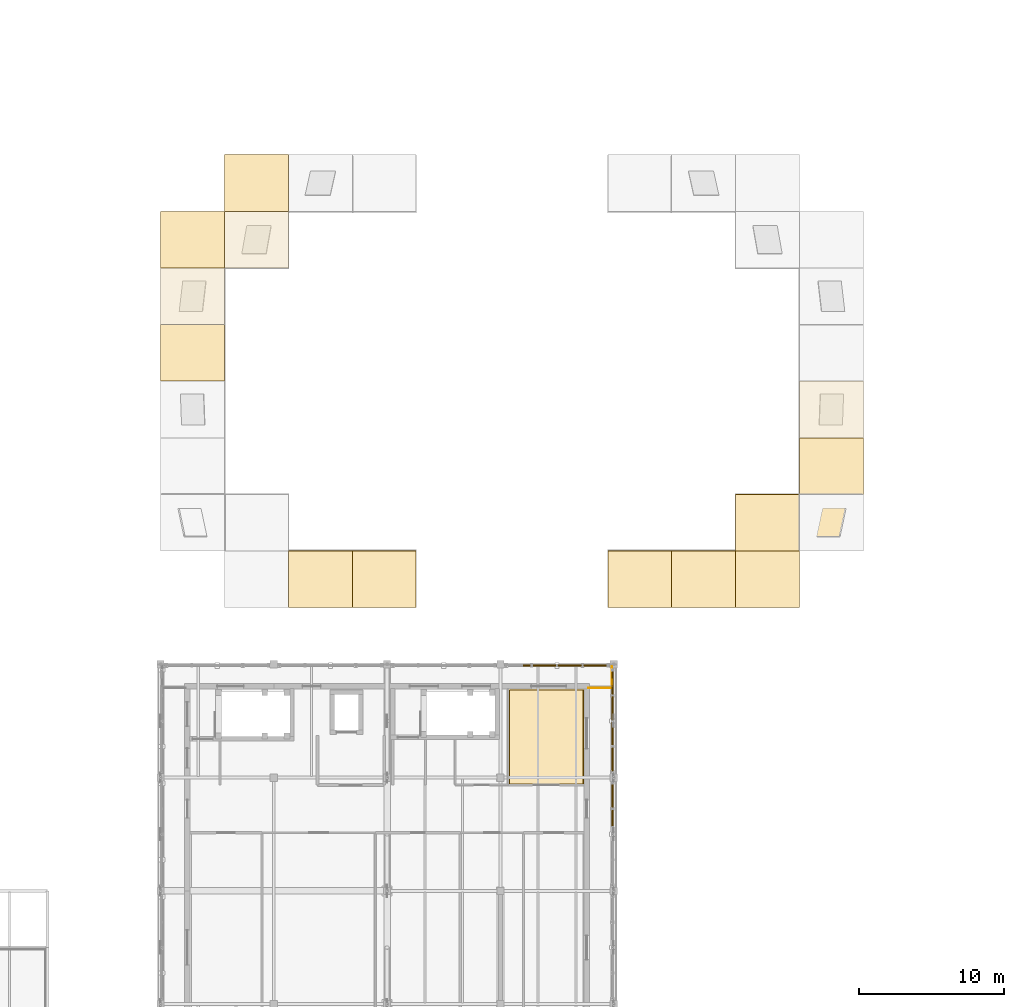
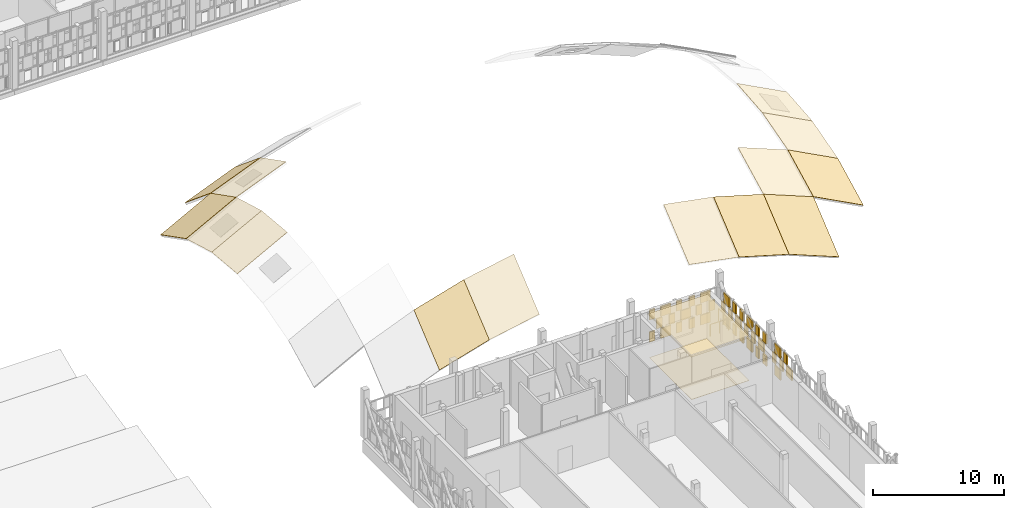
# One storey, part 81 of 89: 55 coverings, 2 railings.
"""IFC4 building model written with IfcOpenShell, lengths in metres."""

from ifc_helpers import new_model, si_unit, direction, frame, origin, origin_2d, place, context, subcontext, project, spatial, polyline, rectangle, circle, outline, extrude, material, layer, layer_set, type_object, element, save


model = new_model("IFC4")

# Units and contexts
model_context = context("Model", 3, precision=1e-05, world=origin(), true_north=direction((0.0, 1.0)))
body_context = subcontext(model_context, "Body", "Model", "MODEL_VIEW")
ifc_project = project(units=[si_unit("LENGTHUNIT", "METRE"), si_unit("AREAUNIT", "SQUARE_METRE"), si_unit("VOLUMEUNIT", "CUBIC_METRE"), si_unit("PLANEANGLEUNIT", "RADIAN"), si_unit("MASSUNIT", "GRAM", prefix="KILO")], contexts=[model_context])

# Site, building, storey
site_placement = place(None, origin())
site = spatial("IfcSite", under=ifc_project, at=site_placement, CompositionType="ELEMENT")
building_placement = place(site_placement, origin())
building = spatial("IfcBuilding", under=site, at=building_placement, Name="Celorna Specialist Clinic", CompositionType="ELEMENT")
storey_placement = place(building_placement, frame((0.0, 0.0, 14.10009765625)))
storey = spatial("IfcBuildingStorey", under=building, at=storey_placement, Name="L03", CompositionType="ELEMENT", Elevation=14.10009765625)

# Railings
ifc_material_1 = material(Name="Stainless steel and laminated glass balustrade", Category="steel")
railing_type = type_object("IfcRailingType", Name="BL-01", PredefinedType="BALUSTRADE", material=ifc_material_1)
railing_1_placement = place(storey_placement, frame((84.070068359375, 41.280029296875, 0.0)))
element("IfcRailing", 1, at=railing_1_placement, inside=storey, type_object=railing_type, Name="Research Wing Cantilever Veranda L03 perimeter balustrade 6", PredefinedType="BALUSTRADE", context=body_context, shape_type="SweptSolid", body=[
    extrude(circle(Radius=0.02392578125, at=origin_2d()), frame((0.0, 0.0, 1.09619140625), z_axis=(1.0, 0.0, 0.0), x_axis=(0.0, 1.0, 0.0)), (0.0, 0.0, 1.0), 1.60986328125),
    extrude(circle(Radius=0.02099609375, at=origin_2d()), origin(), (0.0, 0.0, 1.0), 1.072021484375),
    extrude(circle(Radius=0.02099609375, at=origin_2d()), frame((0.804931640625, 0.0, 0.0)), (0.0, 0.0, 1.0), 1.072021484375),
    extrude(circle(Radius=0.02099609375, at=origin_2d()), frame((1.60986328125, 0.0, 0.0)), (0.0, 0.0, 1.0), 1.072021484375),
])
railing_2_placement = place(storey_placement, frame((85.679931640625, 42.780029296875, 0.0)))
element("IfcRailing", 2, at=railing_2_placement, inside=storey, type_object=railing_type, Name="Research Wing North Court Veranda L03 perimeter balustrade 3", PredefinedType="BALUSTRADE", context=body_context, shape_type="SweptSolid", body=[
    extrude(circle(Radius=0.02392578125, at=origin_2d()), frame((0.0, 0.0, 1.09619140625), z_axis=(0.0, -1.0, 0.0), x_axis=(1.0, 0.0, 0.0)), (0.0, 0.0, 1.0), 1.260009765625),
    extrude(circle(Radius=0.02099609375, at=origin_2d()), origin(), (0.0, 0.0, 1.0), 1.072021484375),
    extrude(circle(Radius=0.02099609375, at=origin_2d()), frame((0.0, -0.6298828125, 0.0)), (0.0, 0.0, 1.0), 1.072021484375),
    extrude(circle(Radius=0.02099609375, at=origin_2d()), frame((0.0, -1.260009765625, 0.0)), (0.0, 0.0, 1.0), 1.072021484375),
])

# Coverings
ifc_material_2 = material(Name="Hygienic acoustic mineral-fibre ceiling")
ifc_layer_1 = layer(ifc_material_2, 0.030029296875, Name="Hygienic acoustic mineral-fibre ceiling")
ifc_layer_set_1 = layer_set([ifc_layer_1], Name="Hygienic acoustic mineral-fibre ceiling")
covering_type_1 = type_object("IfcCoveringType", Name="CE-01", PredefinedType="CEILING", material=ifc_layer_set_1)
covering_1_placement = place(storey_placement, frame((0.0, 0.0, 4.02978515625)))
element("IfcCovering", 3, at=covering_1_placement, inside=storey, type_object=covering_type_1, Name="Acoustic ceiling L03-060", PredefinedType="CEILING", context=body_context, shape_type="SweptSolid", body=[
    extrude(outline(polyline([(83.77490234375, 41.22509765625), (83.77490234375, 34.5849609375), (78.52490234375, 34.5849609375), (78.52490234375, 41.22509765625), (83.77490234375, 41.22509765625)])), origin(), (0.0, 0.0, 1.0), 0.030029296875),
])
ifc_material_3 = material(Name="Perforated terracotta brick weave cladding", Category="masonry")
ifc_layer_2 = layer(ifc_material_3, 0.114990234375, Name="Perforated terracotta brick weave cladding")
ifc_layer_set_2 = layer_set([ifc_layer_2], Name="Perforated terracotta brick weave cladding")
covering_type_2 = type_object("IfcCoveringType", Name="CL-02", PredefinedType="CLADDING", material=ifc_layer_set_2)
covering_2_placement = place(storey_placement, frame((85.72998046875, 32.077392578125, 1.12646484375), z_axis=(0.0, 0.0, 1.0), x_axis=(0.0, 1.0, 0.0)))
element("IfcCovering", 4, at=covering_2_placement, inside=storey, type_object=covering_type_2, Name="Woven perforated terracotta brick course #448", PredefinedType="CLADDING", context=body_context, shape_type="SweptSolid", body=[
    extrude(rectangle(XDim=0.8828125, YDim=0.114990234375, at=origin_2d()), origin(), (0.0, 0.0, 1.0), 0.926513671875),
])
covering_3_placement = place(storey_placement, frame((85.72998046875, 32.645751953125, 2.1533203125), z_axis=(0.0, 0.0, 1.0), x_axis=(0.0, 1.0, 0.0)))
element("IfcCovering", 5, at=covering_3_placement, inside=storey, type_object=covering_type_2, Name="Woven perforated terracotta brick course #450", PredefinedType="CLADDING", context=body_context, shape_type="SweptSolid", body=[
    extrude(rectangle(XDim=0.498779296875, YDim=0.114990234375, at=origin_2d()), origin(), (0.0, 0.0, 1.0), 0.9267578125),
])
covering_4_placement = place(storey_placement, frame((85.72998046875, 33.83251953125, 0.099853515625), z_axis=(0.0, 0.0, 1.0), x_axis=(0.0, 1.0, 0.0)))
element("IfcCovering", 6, at=covering_4_placement, inside=storey, type_object=covering_type_2, Name="Woven perforated terracotta brick course #451", PredefinedType="CLADDING", context=body_context, shape_type="SweptSolid", body=[
    extrude(rectangle(XDim=0.8828125, YDim=0.114990234375, at=origin_2d()), origin(), (0.0, 0.0, 1.0), 0.9267578125),
])
for number, where, z_axis, x_axis, name in (
    (7, (85.72998046875, 33.264404296875, 1.12646484375), (0.0, 0.0, 1.0), (0.0, 1.0, 0.0), "Woven perforated terracotta brick course #452"),
    (8, (85.72998046875, 34.400634765625, 1.12646484375), (0.0, 0.0, 1.0), (0.0, 1.0, 0.0), "Woven perforated terracotta brick course #453"),
):
    element("IfcCovering", number, at=place(storey_placement, frame(where, z_axis=z_axis, x_axis=x_axis)), inside=storey, type_object=covering_type_2, Name=name, PredefinedType="CLADDING", context=body_context, shape_type="SweptSolid", body=[
        extrude(rectangle(XDim=0.498779296875, YDim=0.114990234375, at=origin_2d()), origin(), (0.0, 0.0, 1.0), 0.926513671875),
    ])
covering_5_placement = place(storey_placement, frame((85.72998046875, 33.83251953125, 2.1533203125), z_axis=(0.0, 0.0, 1.0), x_axis=(0.0, 1.0, 0.0)))
element("IfcCovering", 9, at=covering_5_placement, inside=storey, type_object=covering_type_2, Name="Woven perforated terracotta brick course #454", PredefinedType="CLADDING", context=body_context, shape_type="SweptSolid", body=[
    extrude(rectangle(XDim=0.8828125, YDim=0.114990234375, at=origin_2d()), origin(), (0.0, 0.0, 1.0), 0.9267578125),
])
for number, where, z_axis, x_axis, name in (
    (10, (85.72998046875, 35.79931640625, 0.099853515625), (0.0, 0.0, 1.0), (0.0, 1.0, 0.0), "Woven perforated terracotta brick course #455"),
    (11, (85.72998046875, 36.935791015625, 0.099853515625), (0.0, 0.0, 1.0), (0.0, 1.0, 0.0), "Woven perforated terracotta brick course #456"),
):
    element("IfcCovering", number, at=place(storey_placement, frame(where, z_axis=z_axis, x_axis=x_axis)), inside=storey, type_object=covering_type_2, Name=name, PredefinedType="CLADDING", context=body_context, shape_type="SweptSolid", body=[
        extrude(rectangle(XDim=0.498779296875, YDim=0.114990234375, at=origin_2d()), origin(), (0.0, 0.0, 1.0), 0.9267578125),
    ])
covering_6_placement = place(storey_placement, frame((85.72998046875, 36.367431640625, 1.12646484375), z_axis=(0.0, 0.0, 1.0), x_axis=(0.0, 1.0, 0.0)))
element("IfcCovering", 12, at=covering_6_placement, inside=storey, type_object=covering_type_2, Name="Woven perforated terracotta brick course #457", PredefinedType="CLADDING", context=body_context, shape_type="SweptSolid", body=[
    extrude(rectangle(XDim=0.8828125, YDim=0.114990234375, at=origin_2d()), origin(), (0.0, 0.0, 1.0), 0.926513671875),
])
for number, where, z_axis, x_axis, name in (
    (13, (85.72998046875, 35.79931640625, 2.1533203125), (0.0, 0.0, 1.0), (0.0, 1.0, 0.0), "Woven perforated terracotta brick course #458"),
    (14, (85.72998046875, 36.935791015625, 2.1533203125), (0.0, 0.0, 1.0), (0.0, 1.0, 0.0), "Woven perforated terracotta brick course #459"),
):
    element("IfcCovering", number, at=place(storey_placement, frame(where, z_axis=z_axis, x_axis=x_axis)), inside=storey, type_object=covering_type_2, Name=name, PredefinedType="CLADDING", context=body_context, shape_type="SweptSolid", body=[
        extrude(rectangle(XDim=0.498779296875, YDim=0.114990234375, at=origin_2d()), origin(), (0.0, 0.0, 1.0), 0.9267578125),
    ])
covering_7_placement = place(storey_placement, frame((85.72998046875, 38.12255859375, 0.099853515625), z_axis=(0.0, 0.0, 1.0), x_axis=(0.0, 1.0, 0.0)))
element("IfcCovering", 15, at=covering_7_placement, inside=storey, type_object=covering_type_2, Name="Woven perforated terracotta brick course #460", PredefinedType="CLADDING", context=body_context, shape_type="SweptSolid", body=[
    extrude(rectangle(XDim=0.8828125, YDim=0.114990234375, at=origin_2d()), origin(), (0.0, 0.0, 1.0), 0.9267578125),
])
for number, where, z_axis, x_axis, name in (
    (16, (85.72998046875, 37.55419921875, 1.12646484375), (0.0, 0.0, 1.0), (0.0, 1.0, 0.0), "Woven perforated terracotta brick course #461"),
    (17, (85.72998046875, 38.690673828125, 1.12646484375), (0.0, 0.0, 1.0), (0.0, 1.0, 0.0), "Woven perforated terracotta brick course #462"),
):
    element("IfcCovering", number, at=place(storey_placement, frame(where, z_axis=z_axis, x_axis=x_axis)), inside=storey, type_object=covering_type_2, Name=name, PredefinedType="CLADDING", context=body_context, shape_type="SweptSolid", body=[
        extrude(rectangle(XDim=0.498779296875, YDim=0.114990234375, at=origin_2d()), origin(), (0.0, 0.0, 1.0), 0.926513671875),
    ])
covering_8_placement = place(storey_placement, frame((85.72998046875, 38.12255859375, 2.1533203125), z_axis=(0.0, 0.0, 1.0), x_axis=(0.0, 1.0, 0.0)))
element("IfcCovering", 18, at=covering_8_placement, inside=storey, type_object=covering_type_2, Name="Woven perforated terracotta brick course #463", PredefinedType="CLADDING", context=body_context, shape_type="SweptSolid", body=[
    extrude(rectangle(XDim=0.8828125, YDim=0.114990234375, at=origin_2d()), origin(), (0.0, 0.0, 1.0), 0.9267578125),
])
for number, where, z_axis, x_axis, name in (
    (19, (85.72998046875, 39.309326171875, 0.099853515625), (0.0, 0.0, 1.0), (0.0, 1.0, 0.0), "Woven perforated terracotta brick course #464"),
    (20, (85.72998046875, 40.44580078125, 0.099853515625), (0.0, 0.0, 1.0), (0.0, 1.0, 0.0), "Woven perforated terracotta brick course #465"),
):
    element("IfcCovering", number, at=place(storey_placement, frame(where, z_axis=z_axis, x_axis=x_axis)), inside=storey, type_object=covering_type_2, Name=name, PredefinedType="CLADDING", context=body_context, shape_type="SweptSolid", body=[
        extrude(rectangle(XDim=0.498779296875, YDim=0.114990234375, at=origin_2d()), origin(), (0.0, 0.0, 1.0), 0.9267578125),
    ])
covering_9_placement = place(storey_placement, frame((85.72998046875, 39.87744140625, 1.12646484375), z_axis=(0.0, 0.0, 1.0), x_axis=(0.0, 1.0, 0.0)))
element("IfcCovering", 21, at=covering_9_placement, inside=storey, type_object=covering_type_2, Name="Woven perforated terracotta brick course #466", PredefinedType="CLADDING", context=body_context, shape_type="SweptSolid", body=[
    extrude(rectangle(XDim=0.8828125, YDim=0.114990234375, at=origin_2d()), origin(), (0.0, 0.0, 1.0), 0.926513671875),
])
for number, where, z_axis, x_axis, name in (
    (22, (85.72998046875, 39.309326171875, 2.1533203125), (0.0, 0.0, 1.0), (0.0, 1.0, 0.0), "Woven perforated terracotta brick course #467"),
    (23, (85.72998046875, 40.44580078125, 2.1533203125), (0.0, 0.0, 1.0), (0.0, 1.0, 0.0), "Woven perforated terracotta brick course #468"),
):
    element("IfcCovering", number, at=place(storey_placement, frame(where, z_axis=z_axis, x_axis=x_axis)), inside=storey, type_object=covering_type_2, Name=name, PredefinedType="CLADDING", context=body_context, shape_type="SweptSolid", body=[
        extrude(rectangle(XDim=0.498779296875, YDim=0.114990234375, at=origin_2d()), origin(), (0.0, 0.0, 1.0), 0.9267578125),
    ])
covering_10_placement = place(storey_placement, frame((85.72998046875, 41.632568359375, 0.099853515625), z_axis=(0.0, 0.0, 1.0), x_axis=(0.0, 1.0, 0.0)))
element("IfcCovering", 24, at=covering_10_placement, inside=storey, type_object=covering_type_2, Name="Woven perforated terracotta brick course #469", PredefinedType="CLADDING", context=body_context, shape_type="SweptSolid", body=[
    extrude(rectangle(XDim=0.8828125, YDim=0.114990234375, at=origin_2d()), origin(), (0.0, 0.0, 1.0), 0.9267578125),
])
for number, where, z_axis, x_axis, name in (
    (25, (85.72998046875, 41.064208984375, 1.12646484375), (0.0, 0.0, 1.0), (0.0, 1.0, 0.0), "Woven perforated terracotta brick course #470"),
    (26, (85.72998046875, 42.20068359375, 1.12646484375), (0.0, 0.0, 1.0), (0.0, 1.0, 0.0), "Woven perforated terracotta brick course #471"),
):
    element("IfcCovering", number, at=place(storey_placement, frame(where, z_axis=z_axis, x_axis=x_axis)), inside=storey, type_object=covering_type_2, Name=name, PredefinedType="CLADDING", context=body_context, shape_type="SweptSolid", body=[
        extrude(rectangle(XDim=0.498779296875, YDim=0.114990234375, at=origin_2d()), origin(), (0.0, 0.0, 1.0), 0.926513671875),
    ])
covering_11_placement = place(storey_placement, frame((85.72998046875, 41.632568359375, 2.1533203125), z_axis=(0.0, 0.0, 1.0), x_axis=(0.0, 1.0, 0.0)))
element("IfcCovering", 27, at=covering_11_placement, inside=storey, type_object=covering_type_2, Name="Woven perforated terracotta brick course #472", PredefinedType="CLADDING", context=body_context, shape_type="SweptSolid", body=[
    extrude(rectangle(XDim=0.8828125, YDim=0.114990234375, at=origin_2d()), origin(), (0.0, 0.0, 1.0), 0.9267578125),
])
for number, where, z_axis, x_axis, name in (
    (28, (79.835693359375, 42.830078125, 0.099853515625), (0.0, 0.0, 1.0), (1.0, 0.0, 0.0), "Woven perforated terracotta brick course #600"),
    (29, (79.835693359375, 42.830078125, 2.1533203125), (0.0, 0.0, 1.0), (1.0, 0.0, 0.0), "Woven perforated terracotta brick course #603"),
):
    element("IfcCovering", number, at=place(storey_placement, frame(where, z_axis=z_axis, x_axis=x_axis)), inside=storey, type_object=covering_type_2, Name=name, PredefinedType="CLADDING", context=body_context, shape_type="SweptSolid", body=[
        extrude(rectangle(XDim=0.498779296875, YDim=0.114990234375, at=origin_2d()), origin(), (0.0, 0.0, 1.0), 0.9267578125),
    ])
covering_12_placement = place(storey_placement, frame((81.0224609375, 42.830078125, 0.099853515625), z_axis=(0.0, 0.0, 1.0), x_axis=(1.0, 0.0, 0.0)))
element("IfcCovering", 30, at=covering_12_placement, inside=storey, type_object=covering_type_2, Name="Woven perforated terracotta brick course #604", PredefinedType="CLADDING", context=body_context, shape_type="SweptSolid", body=[
    extrude(rectangle(XDim=0.8828125, YDim=0.114990234375, at=origin_2d()), origin(), (0.0, 0.0, 1.0), 0.9267578125),
])
for number, where, z_axis, x_axis, name in (
    (31, (80.454345703125, 42.830078125, 1.12646484375), (0.0, 0.0, 1.0), (1.0, 0.0, 0.0), "Woven perforated terracotta brick course #605"),
    (32, (81.590576171875, 42.830078125, 1.12646484375), (0.0, 0.0, 1.0), (1.0, 0.0, 0.0), "Woven perforated terracotta brick course #606"),
):
    element("IfcCovering", number, at=place(storey_placement, frame(where, z_axis=z_axis, x_axis=x_axis)), inside=storey, type_object=covering_type_2, Name=name, PredefinedType="CLADDING", context=body_context, shape_type="SweptSolid", body=[
        extrude(rectangle(XDim=0.498779296875, YDim=0.114990234375, at=origin_2d()), origin(), (0.0, 0.0, 1.0), 0.926513671875),
    ])
covering_13_placement = place(storey_placement, frame((81.0224609375, 42.830078125, 2.1533203125), z_axis=(0.0, 0.0, 1.0), x_axis=(1.0, 0.0, 0.0)))
element("IfcCovering", 33, at=covering_13_placement, inside=storey, type_object=covering_type_2, Name="Woven perforated terracotta brick course #607", PredefinedType="CLADDING", context=body_context, shape_type="SweptSolid", body=[
    extrude(rectangle(XDim=0.8828125, YDim=0.114990234375, at=origin_2d()), origin(), (0.0, 0.0, 1.0), 0.9267578125),
])
for number, where, z_axis, x_axis, name in (
    (34, (82.20947265625, 42.830078125, 0.099853515625), (0.0, 0.0, 1.0), (1.0, 0.0, 0.0), "Woven perforated terracotta brick course #608"),
    (35, (83.345703125, 42.830078125, 0.099853515625), (0.0, 0.0, 1.0), (1.0, 0.0, 0.0), "Woven perforated terracotta brick course #609"),
):
    element("IfcCovering", number, at=place(storey_placement, frame(where, z_axis=z_axis, x_axis=x_axis)), inside=storey, type_object=covering_type_2, Name=name, PredefinedType="CLADDING", context=body_context, shape_type="SweptSolid", body=[
        extrude(rectangle(XDim=0.498779296875, YDim=0.114990234375, at=origin_2d()), origin(), (0.0, 0.0, 1.0), 0.9267578125),
    ])
covering_14_placement = place(storey_placement, frame((82.777587890625, 42.830078125, 1.12646484375), z_axis=(0.0, 0.0, 1.0), x_axis=(1.0, 0.0, 0.0)))
element("IfcCovering", 36, at=covering_14_placement, inside=storey, type_object=covering_type_2, Name="Woven perforated terracotta brick course #610", PredefinedType="CLADDING", context=body_context, shape_type="SweptSolid", body=[
    extrude(rectangle(XDim=0.8828125, YDim=0.114990234375, at=origin_2d()), origin(), (0.0, 0.0, 1.0), 0.926513671875),
])
for number, where, z_axis, x_axis, name in (
    (37, (82.20947265625, 42.830078125, 2.1533203125), (0.0, 0.0, 1.0), (1.0, 0.0, 0.0), "Woven perforated terracotta brick course #611"),
    (38, (83.345703125, 42.830078125, 2.1533203125), (0.0, 0.0, 1.0), (1.0, 0.0, 0.0), "Woven perforated terracotta brick course #612"),
):
    element("IfcCovering", number, at=place(storey_placement, frame(where, z_axis=z_axis, x_axis=x_axis)), inside=storey, type_object=covering_type_2, Name=name, PredefinedType="CLADDING", context=body_context, shape_type="SweptSolid", body=[
        extrude(rectangle(XDim=0.498779296875, YDim=0.114990234375, at=origin_2d()), origin(), (0.0, 0.0, 1.0), 0.9267578125),
    ])
covering_15_placement = place(storey_placement, frame((84.532470703125, 42.830078125, 0.099853515625), z_axis=(0.0, 0.0, 1.0), x_axis=(1.0, 0.0, 0.0)))
element("IfcCovering", 39, at=covering_15_placement, inside=storey, type_object=covering_type_2, Name="Woven perforated terracotta brick course #613", PredefinedType="CLADDING", context=body_context, shape_type="SweptSolid", body=[
    extrude(rectangle(XDim=0.8828125, YDim=0.114990234375, at=origin_2d()), origin(), (0.0, 0.0, 1.0), 0.9267578125),
])
for number, where, z_axis, x_axis, name in (
    (40, (83.96435546875, 42.830078125, 1.12646484375), (0.0, 0.0, 1.0), (1.0, 0.0, 0.0), "Woven perforated terracotta brick course #614"),
    (41, (85.1005859375, 42.830078125, 1.12646484375), (0.0, 0.0, 1.0), (1.0, 0.0, 0.0), "Woven perforated terracotta brick course #615"),
):
    element("IfcCovering", number, at=place(storey_placement, frame(where, z_axis=z_axis, x_axis=x_axis)), inside=storey, type_object=covering_type_2, Name=name, PredefinedType="CLADDING", context=body_context, shape_type="SweptSolid", body=[
        extrude(rectangle(XDim=0.498779296875, YDim=0.114990234375, at=origin_2d()), origin(), (0.0, 0.0, 1.0), 0.926513671875),
    ])
covering_16_placement = place(storey_placement, frame((84.532470703125, 42.830078125, 2.1533203125), z_axis=(0.0, 0.0, 1.0), x_axis=(1.0, 0.0, 0.0)))
element("IfcCovering", 42, at=covering_16_placement, inside=storey, type_object=covering_type_2, Name="Woven perforated terracotta brick course #616", PredefinedType="CLADDING", context=body_context, shape_type="SweptSolid", body=[
    extrude(rectangle(XDim=0.8828125, YDim=0.114990234375, at=origin_2d()), origin(), (0.0, 0.0, 1.0), 0.9267578125),
])
ifc_material_4 = material(Name="Seamless antimicrobial clinical vinyl and Lioz terrazzo flooring")
ifc_layer_3 = layer(ifc_material_4, 0.02001953125, Name="Seamless antimicrobial clinical vinyl and Lioz terrazzo flooring")
ifc_layer_set_3 = layer_set([ifc_layer_3], Name="Seamless antimicrobial clinical vinyl and Lioz terrazzo flooring")
covering_type_3 = type_object("IfcCoveringType", Name="FL-01", PredefinedType="FLOORING", material=ifc_layer_set_3)
covering_17_placement = place(storey_placement, origin())
element("IfcCovering", 43, at=covering_17_placement, inside=storey, type_object=covering_type_3, Name="Antimicrobial clinical flooring L03-060", PredefinedType="FLOORING", context=body_context, shape_type="SweptSolid", body=[
    extrude(outline(polyline([(78.614990234375, 41.135009765625), (83.68505859375, 41.135009765625), (83.68505859375, 34.675048828125), (78.614990234375, 34.675048828125), (78.614990234375, 41.135009765625)])), origin(), (0.0, 0.0, 1.0), 0.02001953125),
])
ifc_material_5 = material(Name="Standing-seam zinc and EPDM acoustic roofing membrane")
ifc_layer_4 = layer(ifc_material_5, 0.0400390625, Name="Standing-seam zinc and EPDM acoustic roofing membrane")
ifc_layer_set_4 = layer_set([ifc_layer_4], Name="Standing-seam zinc and EPDM acoustic roofing membrane")
covering_type_4 = type_object("IfcCoveringType", Name="RFG-01", PredefinedType="ROOFING", material=ifc_layer_set_4)
covering_18_placement = place(storey_placement, frame((54.60009765625, 62.39990234375, 3.3349609375), z_axis=(-0.466384715626, 0.080536237155, 0.880908174292), x_axis=(0.883779035665, 1.739553e-06, 0.467904494653)))
element("IfcCovering", 44, at=covering_18_placement, inside=storey, type_object=covering_type_4, Name="GSH-V1 gridshell standing-seam roofing 1-5", PredefinedType="ROOFING", context=body_context, shape_type="SweptSolid", body=[
    extrude(outline(polyline([(0.0, 0.0), (4.978452774471236, -2.7755575615628914e-17), (4.8116771951657125, 3.91284829184188), (-0.16688981380128876, 3.9128656690511843), (0.0, 0.0)])), origin(), (0.0, 0.0, -1.0), 0.0400390625),
])
covering_19_placement = place(storey_placement, frame((54.60009765625, 66.300048828125, 2.978271484375), z_axis=(-0.453832645011, 0.243559911763, 0.857154886648), x_axis=(0.883768830423, 0.0, 0.467923769831)))
element("IfcCovering", 45, at=covering_19_placement, inside=storey, type_object=covering_type_4, Name="GSH-V1 gridshell standing-seam roofing 1-6", PredefinedType="ROOFING", context=body_context, shape_type="SweptSolid", body=[
    extrude(outline(polyline([(0.0, 0.0), (4.978567010158636, 0.0), (4.4600352740103935, 4.020991056328819), (-0.5185317361482426, 4.020991056328819), (0.0, 0.0)])), origin(), (0.0, 0.0, -1.0), 0.0400390625),
])
covering_20_placement = place(storey_placement, frame((54.60009765625, 70.199951171875, 1.8701171875), z_axis=(-0.426272998469, 0.412350212297, 0.805145100708), x_axis=(0.883777245858, -8.140406e-06, 0.467907875161)))
element("IfcCovering", 46, at=covering_20_placement, inside=storey, type_object=covering_type_4, Name="GSH-V1 gridshell standing-seam roofing 1-7", PredefinedType="ROOFING", context=body_context, shape_type="SweptSolid", body=[
    extrude(outline(polyline([(0.0, 0.0), (4.978567009188496, 1.1102230246251565e-16), (4.043861863300695, 4.281087387059298), (-0.9345909105667167, 4.280998416779777), (0.0, 0.0)])), origin(), (0.0, 0.0, -1.0), 0.0400390625),
])
covering_21_placement = place(storey_placement, frame((59.0, 70.199951171875, 4.19970703125), z_axis=(-0.338086403658, 0.429018482791, 0.837639973428), x_axis=(0.927315344547, 0.0, 0.374280979704)))
element("IfcCovering", 47, at=covering_21_placement, inside=storey, type_object=covering_type_4, Name="GSH-V1 gridshell standing-seam roofing 2-7", PredefinedType="ROOFING", context=body_context, shape_type="SweptSolid", body=[
    extrude(outline(polyline([(0.0, 0.0), (4.744774654733399, 0.0), (3.9971264672477984, 4.317685157905408), (-0.7476481874855999, 4.317685157905408), (0.0, 0.0)])), origin(), (0.0, 0.0, -1.0), 0.0400390625),
])
covering_22_placement = place(storey_placement, frame((59.0, 74.10009765625, 2.2021484375), z_axis=(-0.296381901334, 0.610628916295, 0.734363734907), x_axis=(0.927320944317, -1.1536739e-05, 0.374267105285)))
element("IfcCovering", 48, at=covering_22_placement, inside=storey, type_object=covering_type_4, Name="GSH-V1 gridshell standing-seam roofing 2-8", PredefinedType="ROOFING", context=body_context, shape_type="SweptSolid", body=[
    extrude(outline(polyline([(0.0, 0.0), (4.744774653886567, 2.220446049250313e-16), (3.5310114099014616, 4.924687471301626), (-1.2136718701801035, 4.924549227755726), (0.0, 0.0)])), origin(), (0.0, 0.0, -1.0), 0.0400390625),
])
covering_23_placement = place(storey_placement, frame((63.39990234375, 46.800048828125, 0.735107421875), z_axis=(-0.219376785637, -0.623780908154, 0.750180781243), x_axis=(0.959799545797, 1.2460042e-05, 0.280686358294)))
element("IfcCovering", 49, at=covering_23_placement, inside=storey, type_object=covering_type_4, Name="GSH-V1 gridshell standing-seam roofing 3-1", PredefinedType="ROOFING", context=body_context, shape_type="SweptSolid", body=[
    extrude(outline(polyline([(0.0, 0.0), (4.584464113395889, 0.0), (5.4946875625080995, 4.989556871846673), (0.9102919760551541, 4.989703039302455), (0.0, 0.0)])), origin(), (0.0, 0.0, -1.0), 0.0400390625),
])
covering_24_placement = place(storey_placement, frame((67.800048828125, 46.800048828125, 2.02197265625), z_axis=(-0.144902497937, -0.632607674338, 0.760796159599), x_axis=(0.98234319482, -1.3116995e-05, 0.187087806705)))
element("IfcCovering", 50, at=covering_24_placement, inside=storey, type_object=covering_type_4, Name="GSH-V1 gridshell standing-seam roofing 4-1", PredefinedType="ROOFING", context=body_context, shape_type="SweptSolid", body=[
    extrude(outline(polyline([(0.0, 0.0), (4.47897324454776, 1.1102230246251565e-16), (5.085632865052839, 5.035646135969462), (0.6066139447710205, 5.035494417281825), (0.0, 0.0)])), origin(), (0.0, 0.0, -1.0), 0.0400390625),
])
covering_25_placement = place(storey_placement, frame((85.39990234375, 46.800048828125, 2.85986328125), z_axis=(0.144894626869, -0.632608411304, 0.760797045901), x_axis=(0.982345102553, 1.3116323e-05, -0.187077789485)))
element("IfcCovering", 51, at=covering_25_placement, inside=storey, type_object=covering_type_4, Name="GSH-V1 gridshell standing-seam roofing 8-1", PredefinedType="ROOFING", context=body_context, shape_type="SweptSolid", body=[
    extrude(outline(polyline([(0.0, 0.0), (4.479213075395676, 1.1102230246251565e-16), (3.8726316106014513, 5.035498329960518), (-0.6066271380826733, 5.035650049119493), (0.0, 0.0)])), origin(), (0.0, 0.0, -1.0), 0.0400390625),
])
covering_26_placement = place(storey_placement, frame((89.800048828125, 46.800048828125, 2.02197265625), z_axis=(0.219388372486, -0.623779242362, 0.750178777903), x_axis=(0.959795349871, -1.2460612e-05, -0.280700705753)))
element("IfcCovering", 52, at=covering_26_placement, inside=storey, type_object=covering_type_4, Name="GSH-V1 gridshell standing-seam roofing 9-1", PredefinedType="ROOFING", context=body_context, shape_type="SweptSolid", body=[
    extrude(outline(polyline([(0.0, 0.0), (4.584229788916986, 0.0), (3.673891282975066, 4.989694550440341), (-0.9102699754961789, 4.989548384013961), (0.0, 0.0)])), origin(), (0.0, 0.0, -1.0), 0.0400390625),
])
covering_27_placement = place(storey_placement, frame((94.199951171875, 46.800048828125, 0.735107421875), z_axis=(0.29636690111, -0.610631892376, 0.734367314046), x_axis=(0.927334809509, 1.1536523e-05, -0.374232749689)))
element("IfcCovering", 53, at=covering_27_placement, inside=storey, type_object=covering_type_4, Name="GSH-V1 gridshell standing-seam roofing 10-1", PredefinedType="ROOFING", context=body_context, shape_type="SweptSolid", body=[
    extrude(outline(polyline([(0.0, 0.0), (4.7449096826828745, 0.0), (3.531439200027451, 4.924598856026747), (-1.2135618480728285, 4.924737103982958), (0.0, 0.0)])), origin(), (0.0, 0.0, -1.0), 0.0400390625),
])
covering_28_placement = place(storey_placement, frame((94.199951171875, 50.699951171875, 3.97802734375), z_axis=(0.338069789045, -0.42902120359, 0.83764528567), x_axis=(0.927322552117, 0.0, -0.374263121794)))
element("IfcCovering", 54, at=covering_28_placement, inside=storey, type_object=covering_type_4, Name="GSH-V1 gridshell standing-seam roofing 10-2", PredefinedType="ROOFING", context=body_context, shape_type="SweptSolid", body=[
    extrude(outline(polyline([(0.0, 0.0), (4.745001050961039, -1.1102230246251565e-16), (3.9973885356970955, 4.317691334737567), (-0.7476125152639436, 4.3176913347375665), (0.0, 0.0)])), origin(), (0.0, 0.0, -1.0), 0.0400390625),
])
covering_29_placement = place(storey_placement, frame((98.60009765625, 50.699951171875, 2.2021484375), z_axis=(0.426272998469, -0.412350212297, 0.805145100708), x_axis=(0.883780693912, 8.140593e-06, -0.46790136247)))
element("IfcCovering", 55, at=covering_29_placement, inside=storey, type_object=covering_type_4, Name="GSH-V1 gridshell standing-seam roofing 11-2", PredefinedType="ROOFING", context=body_context, shape_type="SweptSolid", body=[
    extrude(outline(polyline([(0.0, 0.0), (4.978452774662409, 0.0), (4.043938370268595, 4.281015118236019), (-0.9346286381248858, 4.281104090557033), (0.0, 0.0)])), origin(), (0.0, 0.0, -1.0), 0.0400390625),
])
covering_30_placement = place(storey_placement, frame((98.60009765625, 54.60009765625, 4.19970703125), z_axis=(0.453832645011, -0.243559911763, 0.857154886648), x_axis=(0.883768830423, 0.0, -0.467923769831)))
element("IfcCovering", 56, at=covering_30_placement, inside=storey, type_object=covering_type_4, Name="GSH-V1 gridshell standing-seam roofing 11-3", PredefinedType="ROOFING", context=body_context, shape_type="SweptSolid", body=[
    extrude(outline(polyline([(0.0, 0.0), (4.978567010158636, 0.0), (4.4600352740103935, 4.020991056328819), (-0.5185317361482426, 4.020991056328819), (0.0, 0.0)])), origin(), (0.0, 0.0, -1.0), 0.0400390625),
])
covering_31_placement = place(storey_placement, frame((98.60009765625, 58.5, 5.307861328125), z_axis=(0.466384526249, -0.080541246159, 0.880907816597), x_axis=(0.883778904127, -1.73962e-06, -0.467904743102)))
element("IfcCovering", 57, at=covering_31_placement, inside=storey, type_object=covering_type_4, Name="GSH-V1 gridshell standing-seam roofing 11-4", PredefinedType="ROOFING", context=body_context, shape_type="SweptSolid", body=[
    extrude(outline(polyline([(0.0, 0.0), (4.978567008997329, 2.7755575615628914e-17), (4.811663537715779, 3.912621739507698), (-0.1667892367251294, 3.912604361616357), (0.0, 0.0)])), origin(), (0.0, 0.0, -1.0), 0.0400390625),
])

save(model, "model.ifc")
